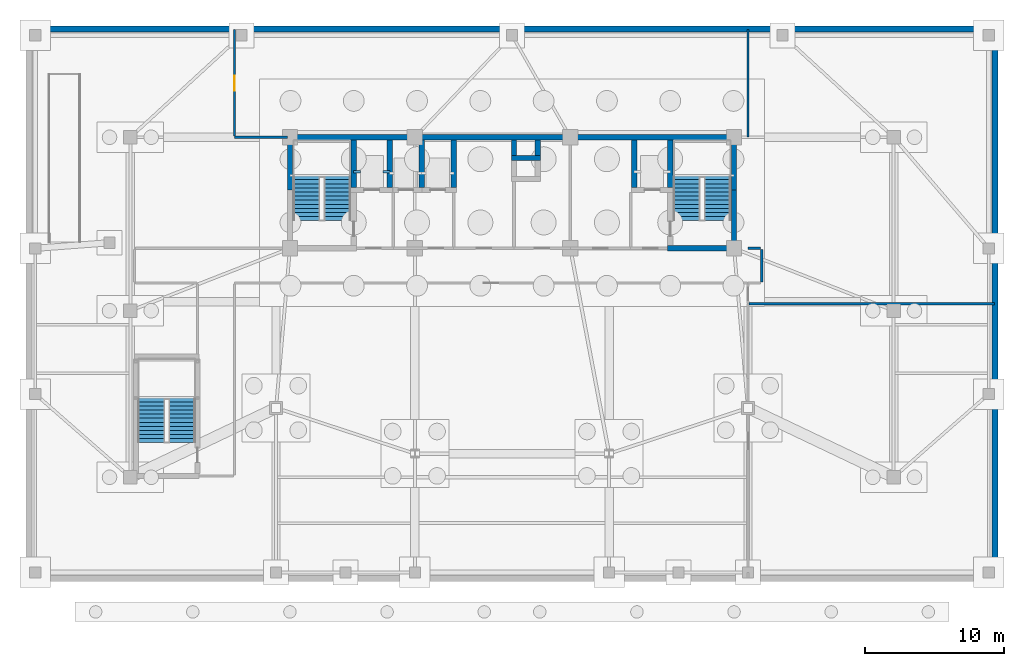
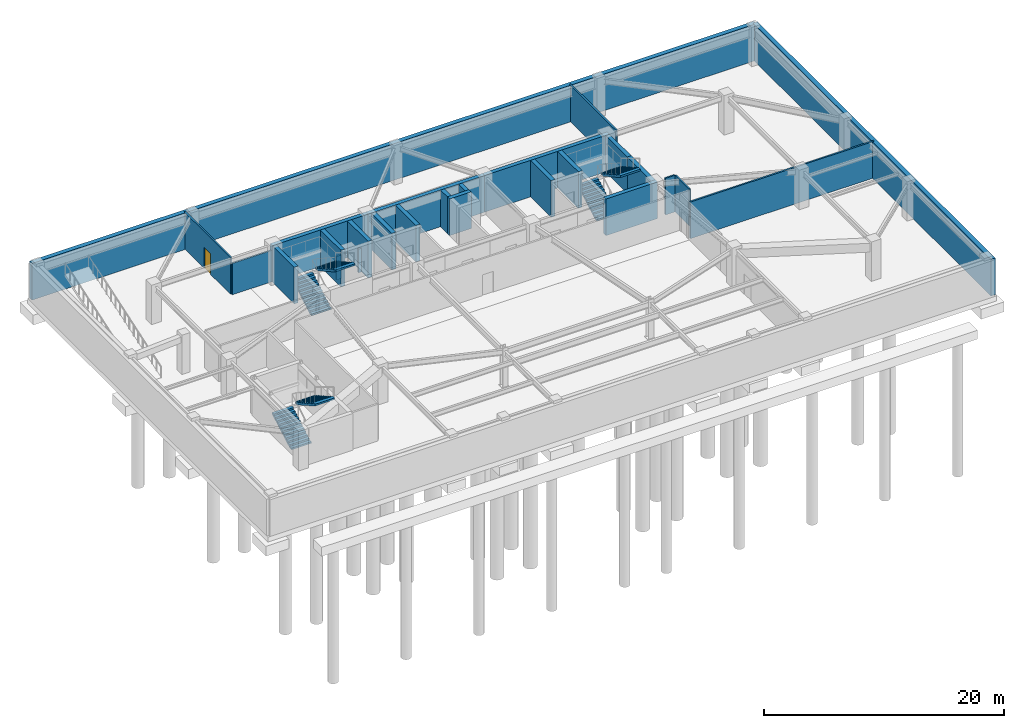
# One storey, part 6 of 10: 24 walls, 6 stair flights, 2 discrete accessories, 1 door, 1 opening, 3 elements without a shape of their own.
"""IFC4 building model written with IfcOpenShell, lengths in metres."""

from ifc_helpers import new_model, si_unit, direction, frame, frame_2d, origin, origin_2d, place, context, subcontext, project, spatial, polyline, rectangle, outline, extrude, source, transform, mapped, material, layer, layer_set, type_object, element, fill, aggregate, save


model = new_model("IFC4")

# Units and contexts
model_context = context("Model", 3, precision=1e-05, world=origin(), true_north=direction((0.0, 1.0)))
body_context = subcontext(model_context, "Body", "Model", "MODEL_VIEW")
ifc_project = project(units=[si_unit("LENGTHUNIT", "METRE"), si_unit("AREAUNIT", "SQUARE_METRE"), si_unit("VOLUMEUNIT", "CUBIC_METRE"), si_unit("PLANEANGLEUNIT", "RADIAN"), si_unit("MASSUNIT", "GRAM", prefix="KILO")], contexts=[model_context])

# Site, building, storey
site_placement = place(None, origin())
site = spatial("IfcSite", under=ifc_project, at=site_placement, CompositionType="ELEMENT")
building_placement = place(site_placement, origin())
building = spatial("IfcBuilding", under=site, at=building_placement, Name="Taldren Reach Tower", CompositionType="ELEMENT")
storey_placement = place(building_placement, frame((0.0, 0.0, -8.0)))
storey = spatial("IfcBuildingStorey", under=building, at=storey_placement, Name="B2", CompositionType="ELEMENT", Elevation=-8.0)

# Walls
ifc_material_1 = material(Name="Concrete S50 (50 MPa)", Category="concrete")
ifc_layer_1 = layer(ifc_material_1, 0.4, Name="Concrete S50 (50 MPa)", Category="concrete")
ifc_material_2 = material(Name="SBS Waterproofing Membrane", Category="bitumen")
ifc_layer_2 = layer(ifc_material_2, 0.02, Name="SBS Waterproofing Membrane", Category="bitumen")
ifc_layer_set_1 = layer_set([ifc_layer_1, ifc_layer_2], Name="Concrete 50 MPa (S50) Retaining Wall with Waterproofing Membrane")
wall_type_1 = type_object("IfcWallType", Name="EW-RET-420", PredefinedType="SOLIDWALL", material=ifc_layer_set_1)
shared_shape_1 = source(origin(), body_context, "Body", "SweptSolid", [
    extrude(rectangle(XDim=69.580078125, YDim=0.419921875, at=frame_2d((34.7900390625, 0.0))), origin(), (0.0, 0.0, 1.0), 3.719970703125),
])
wall_1_placement = place(storey_placement, frame((69.7900390625, 39.7900390625, 0.0), z_axis=(0.0, 0.0, 1.0), x_axis=(-1.0, 0.0, 0.0)))
element("IfcWall", 1, at=wall_1_placement, inside=storey, type_object=wall_type_1, Name="Basement diaphragm retaining wall B2-N", PredefinedType="SOLIDWALL", context=body_context, shape_type="MappedRepresentation", body=[
    mapped(shared_shape_1, transform((0.0, 0.0, 0.0), scale=1.0)),
])
shared_shape_2 = source(origin(), body_context, "Body", "SweptSolid", [
    extrude(rectangle(XDim=39.580078125, YDim=0.419921875, at=frame_2d((19.7900390625, 0.0))), origin(), (0.0, 0.0, 1.0), 3.719970703125),
])
wall_2_placement = place(storey_placement, frame((69.7900390625, 0.2099609375, 0.0), z_axis=(0.0, 0.0, 1.0), x_axis=(0.0, 1.0, 0.0)))
element("IfcWall", 2, at=wall_2_placement, inside=storey, type_object=wall_type_1, Name="Basement diaphragm retaining wall B2-E", PredefinedType="SOLIDWALL", context=body_context, shape_type="MappedRepresentation", body=[
    mapped(shared_shape_2, transform((0.0, 0.0, 0.0), scale=1.0)),
])
ifc_material_3 = material(Name="Concrete S80 (80 MPa)", Category="concrete")
ifc_layer_3 = layer(ifc_material_3, 0.3798828125)
ifc_layer_set_2 = layer_set([ifc_layer_3], Name="Concrete S80 (80 MPa)")
wall_type_2 = type_object("IfcWallType", Name="IW-CORE-380", PredefinedType="SHEAR", material=ifc_layer_set_2)
shared_shape_3 = source(origin(), body_context, "Body", "SweptSolid", [
    extrude(rectangle(XDim=9.18994140625, YDim=0.3798828125, at=frame_2d((4.594970703125, 0.0))), origin(), (0.0, 0.0, 1.0), 3.719970703125),
])
wall_3_placement = place(storey_placement, frame((18.81005859375, 32.0, 0.0), z_axis=(0.0, 0.0, 1.0), x_axis=(1.0, 0.0, 0.0)))
element("IfcWall", 3, at=wall_3_placement, inside=storey, type_object=wall_type_2, Name="Rear Core Shear Wall W-CORE-B2-NORTH1", PredefinedType="SHEAR", context=body_context, shape_type="MappedRepresentation", body=[
    mapped(shared_shape_3, transform((0.0, 0.0, 0.0), scale=1.0)),
])
shared_shape_4 = source(origin(), body_context, "Body", "SweptSolid", [
    extrude(rectangle(XDim=11.199951171875, YDim=0.3798828125, at=frame_2d((5.60009765625, 0.0))), origin(), (0.0, 0.0, 1.0), 3.719970703125),
])
wall_4_placement = place(storey_placement, frame((28.0, 32.0, 0.0), z_axis=(0.0, 0.0, 1.0), x_axis=(1.0, 0.0, 0.0)))
element("IfcWall", 4, at=wall_4_placement, inside=storey, type_object=wall_type_2, Name="Rear Core Shear Wall W-CORE-B2-NORTH2", PredefinedType="SHEAR", context=body_context, shape_type="MappedRepresentation", body=[
    mapped(shared_shape_4, transform((0.0, 0.0, 0.0), scale=1.0)),
])
shared_shape_5 = source(origin(), body_context, "Body", "SweptSolid", [
    extrude(rectangle(XDim=11.989990234375, YDim=0.3798828125, at=frame_2d((5.9951171875, 0.0))), origin(), (0.0, 0.0, 1.0), 3.719970703125),
])
wall_5_placement = place(storey_placement, frame((39.199951171875, 32.0, 0.0), z_axis=(0.0, 0.0, 1.0), x_axis=(1.0, 0.0, 0.0)))
element("IfcWall", 5, at=wall_5_placement, inside=storey, type_object=wall_type_2, Name="Rear Core Shear Wall W-CORE-B2-NORTH3", PredefinedType="SHEAR", context=body_context, shape_type="MappedRepresentation", body=[
    mapped(shared_shape_5, transform((0.0, 0.0, 0.0), scale=1.0)),
])
shared_shape_6 = source(origin(), body_context, "Body", "SweptSolid", [
    extrude(rectangle(XDim=4.010009765625, YDim=0.3798828125, at=frame_2d((2.0048828125, 0.0))), origin(), (0.0, 0.0, 1.0), 3.719970703125),
])
wall_6_placement = place(storey_placement, frame((51.0, 24.18994140625, 0.0), z_axis=(0.0, 0.0, 1.0), x_axis=(0.0, 1.0, 0.0)))
element("IfcWall", 6, at=wall_6_placement, inside=storey, type_object=wall_type_2, Name="Rear Core Shear Wall W-CORE-B2-EAST1", PredefinedType="SHEAR", context=body_context, shape_type="MappedRepresentation", body=[
    mapped(shared_shape_6, transform((0.0, 0.0, 0.0), scale=1.0)),
])
shared_shape_7 = source(origin(), body_context, "Body", "SweptSolid", [
    extrude(rectangle(XDim=3.610107421875, YDim=0.3798828125, at=frame_2d((1.80517578125, 0.0))), origin(), (0.0, 0.0, 1.0), 3.719970703125),
])
for number, where, z_axis, x_axis, name in (
    (7, (19.0, 28.199951171875, 0.0), (0.0, 0.0, 1.0), (0.0, 1.0, 0.0), "Rear Core Shear Wall W-CORE-B2-WEST2"),
    (8, (51.0, 28.199951171875, 0.0), (0.0, 0.0, 1.0), (0.0, 1.0, 0.0), "Rear Core Shear Wall W-CORE-B2-EAST2"),
):
    element("IfcWall", number, at=place(storey_placement, frame(where, z_axis=z_axis, x_axis=x_axis)), inside=storey, type_object=wall_type_2, Name=name, PredefinedType="SHEAR", context=body_context, shape_type="MappedRepresentation", body=[
        mapped(shared_shape_7, transform((0.0, 0.0, 0.0), scale=1.0)),
    ])
shared_shape_8 = source(origin(), body_context, "Body", "SweptSolid", [
    extrude(rectangle(XDim=3.420166015625, YDim=0.3798828125, at=frame_2d((1.7099609375, 0.0))), origin(), (0.0, 0.0, 1.0), 3.719970703125),
])
for number, where, z_axis, x_axis, name in (
    (9, (23.60009765625, 28.389892578125, 0.0), (0.0, 0.0, 1.0), (0.0, 1.0, 0.0), "Rear Core Shear Wall W-INT-B2-001"),
    (10, (26.199951171875, 28.389892578125, 0.0), (0.0, 0.0, 1.0), (0.0, 1.0, 0.0), "Rear Core Shear Wall W-INT-B2-005"),
    (11, (46.39990234375, 31.81005859375, 0.0), (0.0, 0.0, 1.0), (0.0, -1.0, 0.0), "Rear Core Shear Wall W-INT-B2-008"),
    (12, (43.800048828125, 31.81005859375, 0.0), (0.0, 0.0, 1.0), (0.0, -1.0, 0.0), "Rear Core Shear Wall W-INT-B2-012"),
    (13, (28.5, 28.389892578125, 0.0), (0.0, 0.0, 1.0), (0.0, 1.0, 0.0), "Rear Core Shear Wall W-INT-B2-021"),
    (14, (30.800048828125, 28.389892578125, 0.0), (0.0, 0.0, 1.0), (0.0, 1.0, 0.0), "Rear Core Shear Wall W-INT-B2-024"),
):
    element("IfcWall", number, at=place(storey_placement, frame(where, z_axis=z_axis, x_axis=x_axis)), inside=storey, type_object=wall_type_2, Name=name, PredefinedType="SHEAR", context=body_context, shape_type="MappedRepresentation", body=[
        mapped(shared_shape_8, transform((0.0, 0.0, 0.0), scale=1.0)),
    ])
shared_shape_9 = source(origin(), body_context, "Body", "SweptSolid", [
    extrude(rectangle(XDim=4.97998046875, YDim=0.3798828125, at=frame_2d((2.489990234375, 0.0))), origin(), (0.0, 0.0, 1.0), 3.719970703125),
])
wall_7_placement = place(storey_placement, frame((46.2099609375, 24.0, 0.0), z_axis=(0.0, 0.0, 1.0), x_axis=(1.0, 0.0, 0.0)))
element("IfcWall", 15, at=wall_7_placement, inside=storey, type_object=wall_type_2, Name="Rear Core Shear Wall W-INT-B2-010", PredefinedType="SHEAR", context=body_context, shape_type="MappedRepresentation", body=[
    mapped(shared_shape_9, transform((0.0, 0.0, 0.0), scale=1.0)),
])
shared_shape_10 = source(origin(), body_context, "Body", "SweptSolid", [
    extrude(rectangle(XDim=2.080078125, YDim=0.3798828125, at=frame_2d((1.0400390625, 0.0))), origin(), (0.0, 0.0, 1.0), 3.719970703125),
])
wall_8_placement = place(storey_placement, frame((34.9599609375, 30.5, 0.0), z_axis=(0.0, 0.0, 1.0), x_axis=(1.0, 0.0, 0.0)))
element("IfcWall", 16, at=wall_8_placement, inside=storey, type_object=wall_type_2, Name="Rear Core Shear Wall W-INT-B2-015", PredefinedType="SHEAR", context=body_context, shape_type="MappedRepresentation", body=[
    mapped(shared_shape_10, transform((0.0, 0.0, 0.0), scale=1.0)),
])
shared_shape_11 = source(origin(), body_context, "Body", "SweptSolid", [
    extrude(rectangle(XDim=1.1201171875, YDim=0.3798828125, at=frame_2d((0.56005859375, 0.0))), origin(), (0.0, 0.0, 1.0), 3.719970703125),
])
for number, where, z_axis, x_axis, name in (
    (17, (35.14990234375, 31.81005859375, 0.0), (0.0, 0.0, 1.0), (0.0, -1.0, 0.0), "Rear Core Shear Wall W-INT-B2-016"),
    (18, (36.85009765625, 30.68994140625, 0.0), (0.0, 0.0, 1.0), (0.0, 1.0, 0.0), "Rear Core Shear Wall W-INT-B2-017"),
):
    element("IfcWall", number, at=place(storey_placement, frame(where, z_axis=z_axis, x_axis=x_axis)), inside=storey, type_object=wall_type_2, Name=name, PredefinedType="SHEAR", context=body_context, shape_type="MappedRepresentation", body=[
        mapped(shared_shape_11, transform((0.0, 0.0, 0.0), scale=1.0)),
    ])
ifc_material_4 = material(Name="Fire-Rated Acoustic Plasterboard Stud Wall", Category="gypsum")
ifc_layer_4 = layer(ifc_material_4, 0.159912109375)
ifc_layer_set_3 = layer_set([ifc_layer_4], Name="Fire-Rated Acoustic Plasterboard Stud Wall")
wall_type_3 = type_object("IfcWallType", Name="IW-FIRE-160", PredefinedType="PARTITIONING", material=ifc_layer_set_3)
shared_shape_12 = source(origin(), body_context, "Body", "SweptSolid", [
    extrude(rectangle(XDim=2.33984375, YDim=0.159912109375, at=frame_2d((1.169921875, 0.0))), origin(), (0.0, 0.0, 1.0), 3.719970703125),
])
wall_9_placement = place(storey_placement, frame((53.0, 23.919921875, 0.0), z_axis=(0.0, 0.0, 1.0), x_axis=(0.0, -1.0, 0.0)))
element("IfcWall", 19, at=wall_9_placement, inside=storey, type_object=wall_type_3, Name="Interior Partition Wall W-INT-B2-043", PredefinedType="PARTITIONING", context=body_context, shape_type="MappedRepresentation", body=[
    mapped(shared_shape_12, transform((0.0, 0.0, 0.0), scale=1.0)),
])
shared_shape_13 = source(origin(), body_context, "Body", "SweptSolid", [
    extrude(rectangle(XDim=0.899658203125, YDim=0.159912109375, at=frame_2d((0.44970703125, 0.0))), origin(), (0.0, 0.0, 1.0), 3.719970703125),
])
wall_10_placement = place(storey_placement, frame((52.020263671875, 24.0, 0.0), z_axis=(0.0, 0.0, 1.0), x_axis=(1.0, 0.0, 0.0)))
element("IfcWall", 20, at=wall_10_placement, inside=storey, type_object=wall_type_3, Name="Interior Partition Wall W-INT-B2-045", PredefinedType="PARTITIONING", context=body_context, shape_type="MappedRepresentation", body=[
    mapped(shared_shape_13, transform((0.0, 0.0, 0.0), scale=1.0)),
])

# Wall, opening, door
shared_shape_14 = source(origin(), body_context, "Body", "SweptSolid", [
    extrude(rectangle(XDim=7.68994140625, YDim=0.159912109375, at=frame_2d((3.844970703125, 0.0))), origin(), (0.0, 0.0, 1.0), 3.719970703125),
])
wall_11_placement = place(storey_placement, frame((15.0, 39.77001953125, 0.0), z_axis=(0.0, 0.0, 1.0), x_axis=(0.0, -1.0, 0.0)))
wall_11 = element("IfcWall", 21, at=wall_11_placement, inside=storey, type_object=wall_type_3, Name="Interior Partition Wall W-INT-B2-048", PredefinedType="PARTITIONING", context=body_context, shape_type="MappedRepresentation", body=[
    mapped(shared_shape_14, transform((0.0, 0.0, 0.0), scale=1.0)),
])
shared_shape_15 = source(origin(), body_context, "Body", "SweptSolid", [
    extrude(rectangle(XDim=1.050048828125, YDim=2.10009765625, at=frame_2d((0.52490234375, 1.050048828125))), frame((0.0, 0.08984375, 0.0), z_axis=(0.0, -1.0, 0.0), x_axis=(1.0, 0.0, 0.0)), (0.0, 0.0, 1.0), 0.179931640625),
])
opening_placement = place(wall_11_placement, frame((3.349853515625, 0.0, 0.0)))
opening = element("IfcOpeningElement", 22, at=opening_placement, cuts=wall_11, Name="Opening DF-105", PredefinedType="OPENING", context=body_context, shape_type="MappedRepresentation", body=[
    mapped(shared_shape_15, transform((0.0, 0.0, 0.0), scale=1.0)),
])
ifc_material_5 = material(Name="Fire-Rated Care and Stair Exit Door")
door_type = type_object("IfcDoorType", Name="ID-FIRE-105", OperationType="NOTDEFINED", PredefinedType="DOOR", material=ifc_material_5)
shared_shape_16 = source(origin(), body_context, "Body", "SweptSolid", [
    extrude(rectangle(XDim=1.050048828125, YDim=2.10009765625, at=frame_2d((0.52490234375, 1.050048828125))), frame((0.0, 0.02490234375, 0.0), z_axis=(0.0, -1.0, 0.0), x_axis=(1.0, 0.0, 0.0)), (0.0, 0.0, 1.0), 0.050048828125),
])
door_placement = place(opening_placement, origin())
door = element("IfcDoor", 23, at=door_placement, inside=storey, type_object=door_type, Name="Interior Door DR-B2-013", OperationType="SINGLE_SWING_RIGHT", OverallHeight=2.10009765625, OverallWidth=1.050048828125, PredefinedType="DOOR", context=body_context, shape_type="MappedRepresentation", body=[
    mapped(shared_shape_16, transform((0.0, 0.0, 0.0), scale=1.0)),
])
fill(opening, door)

# Walls
shared_shape_17 = source(origin(), body_context, "Body", "SweptSolid", [
    extrude(rectangle(XDim=3.789794921875, YDim=0.159912109375, at=frame_2d((1.89501953125, 0.0))), origin(), (0.0, 0.0, 1.0), 3.18701171875),
])
wall_12_placement = place(storey_placement, frame((15.020263671875, 32.0, 0.0), z_axis=(0.0, 0.0, 1.0), x_axis=(1.0, 0.0, 0.0)))
element("IfcWall", 24, at=wall_12_placement, inside=storey, type_object=wall_type_3, Name="Interior Partition Wall W-INT-B2-049", PredefinedType="PARTITIONING", context=body_context, shape_type="MappedRepresentation", body=[
    mapped(shared_shape_17, transform((0.0, 0.0, 0.0), scale=1.0)),
])
shared_shape_18 = source(origin(), body_context, "Body", "SweptSolid", [
    extrude(rectangle(XDim=17.68994140625, YDim=0.159912109375, at=frame_2d((8.844970703125, 0.0))), origin(), (0.0, 0.0, 1.0), 3.719970703125),
])
wall_13_placement = place(storey_placement, frame((52.080078125, 20.0, 0.0), z_axis=(0.0, 0.0, 1.0), x_axis=(1.0, 0.0, 0.0)))
element("IfcWall", 25, at=wall_13_placement, inside=storey, type_object=wall_type_3, Name="Interior Partition Wall W-INT-B2-050", PredefinedType="PARTITIONING", context=body_context, shape_type="MappedRepresentation", body=[
    mapped(shared_shape_18, transform((0.0, 0.0, 0.0), scale=1.0)),
])
shared_shape_19 = source(origin(), body_context, "Body", "SweptSolid", [
    extrude(rectangle(XDim=7.749755859375, YDim=0.159912109375, at=frame_2d((3.875, 0.0))), origin(), (0.0, 0.0, 1.0), 3.719970703125),
])
wall_14_placement = place(storey_placement, frame((52.0, 32.020263671875, 0.0), z_axis=(0.0, 0.0, 1.0), x_axis=(0.0, 1.0, 0.0)))
element("IfcWall", 26, at=wall_14_placement, inside=storey, type_object=wall_type_3, Name="Interior Partition Wall W-INT-B2-051", PredefinedType="PARTITIONING", context=body_context, shape_type="MappedRepresentation", body=[
    mapped(shared_shape_19, transform((0.0, 0.0, 0.0), scale=1.0)),
])

# Stair, stair flights
stair_type_1 = type_object("IfcStairType", Name="ST-HT-400", PredefinedType="HALF_TURN_STAIR", material=ifc_material_1)
stair_1_placement = place(storey_placement, origin())
stair_1 = element("IfcStair", 27, at=stair_1_placement, inside=storey, type_object=stair_type_1, Name="Fire-isolated exit stair ST1 B2", PredefinedType="HALF_TURN_STAIR")
stair_flight_type_1 = type_object("IfcStairFlightType", Name="SF-STR-400", PredefinedType="STRAIGHT", material=ifc_material_1)
stair_flight_1_placement = place(storey_placement, frame((20.169921875, 25.989990234375, 0.0), z_axis=(0.0, 0.0, 1.0), x_axis=(0.0, 1.0, 0.0)))
stair_flight_1 = element("IfcStairFlight", 28, at=stair_flight_1_placement, type_object=stair_flight_type_1, Name="ST1 flight 1", NumberOfRisers=12, NumberOfTreads=11, PredefinedType="STRAIGHT", RiserHeight=0.166667, TreadLength=0.295, context=body_context, shape_type="SweptSolid", body=[
    extrude(outline(polyline([(0.0, 0.0), (0.0, 0.166748046875), (0.294921875, 0.166748046875), (0.294921875, 0.333251953125), (0.590087890625, 0.333251953125), (0.590087890625, 0.5), (0.885009765625, 0.5), (0.885009765625, 0.666748046875), (1.179931640625, 0.666748046875), (1.179931640625, 0.833251953125), (1.47509765625, 0.833251953125), (1.47509765625, 1.0), (1.77001953125, 1.0), (1.77001953125, 1.166748046875), (2.06494140625, 1.166748046875), (2.06494140625, 1.333251953125), (2.360107421875, 1.333251953125), (2.360107421875, 1.5), (2.655029296875, 1.5), (2.655029296875, 1.666748046875), (2.949951171875, 1.666748046875), (2.949951171875, 1.833251953125), (3.2451171875, 1.833251953125), (3.2451171875, 2.0), (3.2451171875, 1.649658203125), (0.3251953125, 0.0), (0.0, 0.0)])), frame((0.0, 0.949951171875, 0.0), z_axis=(0.0, -1.0, 0.0), x_axis=(1.0, 0.0, 0.0)), (0.0, 0.0, 1.0), 1.89990234375),
])
stair_flight_2_placement = place(storey_placement, frame((22.429931640625, 29.235107421875, 2.0), z_axis=(0.0, 0.0, 1.0), x_axis=(0.0, -1.0, 0.0)))
stair_flight_2 = element("IfcStairFlight", 29, at=stair_flight_2_placement, type_object=stair_flight_type_1, Name="ST1 flight 2", NumberOfRisers=12, NumberOfTreads=11, PredefinedType="STRAIGHT", RiserHeight=0.166667, TreadLength=0.295, context=body_context, shape_type="SweptSolid", body=[
    extrude(outline(polyline([(0.0, 0.0), (0.0, 0.166748046875), (0.294921875, 0.166748046875), (0.294921875, 0.333251953125), (0.590087890625, 0.333251953125), (0.590087890625, 0.5), (0.885009765625, 0.5), (0.885009765625, 0.666748046875), (1.179931640625, 0.666748046875), (1.179931640625, 0.833251953125), (1.47509765625, 0.833251953125), (1.47509765625, 1.0), (1.77001953125, 1.0), (1.77001953125, 1.166748046875), (2.06494140625, 1.166748046875), (2.06494140625, 1.333251953125), (2.360107421875, 1.333251953125), (2.360107421875, 1.5), (2.655029296875, 1.5), (2.655029296875, 1.666748046875), (2.949951171875, 1.666748046875), (2.949951171875, 1.833251953125), (3.2451171875, 1.833251953125), (3.2451171875, 2.0), (3.2451171875, 1.649658203125), (0.3251953125, 0.0), (0.0, 0.0)])), frame((0.0, 0.949951171875, 0.0), z_axis=(0.0, -1.0, 0.0), x_axis=(1.0, 0.0, 0.0)), (0.0, 0.0, 1.0), 1.89990234375),
])
aggregate(stair_1, [stair_flight_1, stair_flight_2])

stair_2_placement = place(storey_placement, origin())
stair_2 = element("IfcStair", 30, at=stair_2_placement, inside=storey, type_object=stair_type_1, Name="Fire-isolated exit stair ST2 B2", PredefinedType="HALF_TURN_STAIR")
stair_flight_3_placement = place(storey_placement, frame((47.570068359375, 25.989990234375, 0.0), z_axis=(0.0, 0.0, 1.0), x_axis=(0.0, 1.0, 0.0)))
stair_flight_3 = element("IfcStairFlight", 31, at=stair_flight_3_placement, type_object=stair_flight_type_1, Name="ST2 flight 1", NumberOfRisers=12, NumberOfTreads=11, PredefinedType="STRAIGHT", RiserHeight=0.166667, TreadLength=0.295, context=body_context, shape_type="SweptSolid", body=[
    extrude(outline(polyline([(0.0, 0.0), (0.0, 0.166748046875), (0.294921875, 0.166748046875), (0.294921875, 0.333251953125), (0.590087890625, 0.333251953125), (0.590087890625, 0.5), (0.885009765625, 0.5), (0.885009765625, 0.666748046875), (1.179931640625, 0.666748046875), (1.179931640625, 0.833251953125), (1.47509765625, 0.833251953125), (1.47509765625, 1.0), (1.77001953125, 1.0), (1.77001953125, 1.166748046875), (2.06494140625, 1.166748046875), (2.06494140625, 1.333251953125), (2.360107421875, 1.333251953125), (2.360107421875, 1.5), (2.655029296875, 1.5), (2.655029296875, 1.666748046875), (2.949951171875, 1.666748046875), (2.949951171875, 1.833251953125), (3.2451171875, 1.833251953125), (3.2451171875, 2.0), (3.2451171875, 1.649658203125), (0.3251953125, 0.0), (0.0, 0.0)])), frame((0.0, 0.949951171875, 0.0), z_axis=(0.0, -1.0, 0.0), x_axis=(1.0, 0.0, 0.0)), (0.0, 0.0, 1.0), 1.89990234375),
])
stair_flight_4_placement = place(storey_placement, frame((49.830078125, 29.235107421875, 2.0), z_axis=(0.0, 0.0, 1.0), x_axis=(0.0, -1.0, 0.0)))
stair_flight_4 = element("IfcStairFlight", 32, at=stair_flight_4_placement, type_object=stair_flight_type_1, Name="ST2 flight 2", NumberOfRisers=12, NumberOfTreads=11, PredefinedType="STRAIGHT", RiserHeight=0.166667, TreadLength=0.295, context=body_context, shape_type="SweptSolid", body=[
    extrude(outline(polyline([(0.0, 0.0), (0.0, 0.166748046875), (0.294921875, 0.166748046875), (0.294921875, 0.333251953125), (0.590087890625, 0.333251953125), (0.590087890625, 0.5), (0.885009765625, 0.5), (0.885009765625, 0.666748046875), (1.179931640625, 0.666748046875), (1.179931640625, 0.833251953125), (1.47509765625, 0.833251953125), (1.47509765625, 1.0), (1.77001953125, 1.0), (1.77001953125, 1.166748046875), (2.06494140625, 1.166748046875), (2.06494140625, 1.333251953125), (2.360107421875, 1.333251953125), (2.360107421875, 1.5), (2.655029296875, 1.5), (2.655029296875, 1.666748046875), (2.949951171875, 1.666748046875), (2.949951171875, 1.833251953125), (3.2451171875, 1.833251953125), (3.2451171875, 2.0), (3.2451171875, 1.649658203125), (0.3251953125, 0.0), (0.0, 0.0)])), frame((0.0, 0.949951171875, 0.0), z_axis=(0.0, -1.0, 0.0), x_axis=(1.0, 0.0, 0.0)), (0.0, 0.0, 1.0), 1.89990234375),
])
aggregate(stair_2, [stair_flight_3, stair_flight_4])

stair_type_2 = type_object("IfcStairType", Name="ST-HT-POD", PredefinedType="HALF_TURN_STAIR", material=ifc_material_1)
stair_3_placement = place(storey_placement, origin())
stair_3 = element("IfcStair", 33, at=stair_3_placement, inside=storey, type_object=stair_type_2, Name="Fire-isolated exit stair ST3 B2", PredefinedType="HALF_TURN_STAIR")
stair_flight_type_2 = type_object("IfcStairFlightType", Name="SF-STR-POD", PredefinedType="STRAIGHT", material=ifc_material_1)
stair_flight_5_placement = place(storey_placement, frame((9.0, 9.989990234375, 0.0), z_axis=(0.0, 0.0, 1.0), x_axis=(0.0, 1.0, 0.0)))
stair_flight_5 = element("IfcStairFlight", 34, at=stair_flight_5_placement, type_object=stair_flight_type_2, Name="ST3 flight 1", NumberOfRisers=12, NumberOfTreads=11, PredefinedType="STRAIGHT", RiserHeight=0.166667, TreadLength=0.295, context=body_context, shape_type="SweptSolid", body=[
    extrude(outline(polyline([(0.0, 0.0), (0.0, 0.166748046875), (0.294921875, 0.166748046875), (0.294921875, 0.333251953125), (0.590087890625, 0.333251953125), (0.590087890625, 0.5), (0.885009765625, 0.5), (0.885009765625, 0.666748046875), (1.179931640625, 0.666748046875), (1.179931640625, 0.833251953125), (1.47509765625, 0.833251953125), (1.47509765625, 1.0), (1.77001953125, 1.0), (1.77001953125, 1.166748046875), (2.06494140625, 1.166748046875), (2.06494140625, 1.333251953125), (2.360107421875, 1.333251953125), (2.360107421875, 1.5), (2.655029296875, 1.5), (2.655029296875, 1.666748046875), (2.949951171875, 1.666748046875), (2.949951171875, 1.833251953125), (3.2451171875, 1.833251953125), (3.2451171875, 2.0), (3.2451171875, 1.649658203125), (0.3251953125, 0.0), (0.0, 0.0)])), frame((0.0, 0.949951171875, 0.0), z_axis=(0.0, -1.0, 0.0), x_axis=(1.0, 0.0, 0.0)), (0.0, 0.0, 1.0), 1.89990234375),
])
stair_flight_6_placement = place(storey_placement, frame((11.239990234375, 13.235107421875, 2.0), z_axis=(0.0, 0.0, 1.0), x_axis=(0.0, -1.0, 0.0)))
stair_flight_6 = element("IfcStairFlight", 35, at=stair_flight_6_placement, type_object=stair_flight_type_2, Name="ST3 flight 2", NumberOfRisers=12, NumberOfTreads=11, PredefinedType="STRAIGHT", RiserHeight=0.166667, TreadLength=0.295, context=body_context, shape_type="SweptSolid", body=[
    extrude(outline(polyline([(0.0, 0.0), (0.0, 0.166748046875), (0.294921875, 0.166748046875), (0.294921875, 0.333251953125), (0.590087890625, 0.333251953125), (0.590087890625, 0.5), (0.885009765625, 0.5), (0.885009765625, 0.666748046875), (1.179931640625, 0.666748046875), (1.179931640625, 0.833251953125), (1.47509765625, 0.833251953125), (1.47509765625, 1.0), (1.77001953125, 1.0), (1.77001953125, 1.166748046875), (2.06494140625, 1.166748046875), (2.06494140625, 1.333251953125), (2.360107421875, 1.333251953125), (2.360107421875, 1.5), (2.655029296875, 1.5), (2.655029296875, 1.666748046875), (2.949951171875, 1.666748046875), (2.949951171875, 1.833251953125), (3.2451171875, 1.833251953125), (3.2451171875, 2.0), (3.2451171875, 1.649658203125), (0.3251953125, 0.0), (0.0, 0.0)])), frame((0.0, 0.949951171875, 0.0), z_axis=(0.0, -1.0, 0.0), x_axis=(1.0, 0.0, 0.0)), (0.0, 0.0, 1.0), 1.89990234375),
])
aggregate(stair_3, [stair_flight_5, stair_flight_6])

# Discrete accessories
ifc_material_6 = material(Name="Steel Gr 350 (350PLUS)", Category="steel")
discrete_accessory_type = type_object("IfcDiscreteAccessoryType", Name="ACC-GUIDE-RAIL", PredefinedType="USERDEFINED", material=ifc_material_6)
shared_shape_20 = source(origin(), body_context, "Body", "SweptSolid", [
    extrude(rectangle(XDim=0.4951171875, YDim=0.159912109375, at=origin_2d()), origin(), (0.0, 0.0, 1.0), 2.39990234375),
])
for number, where, z_axis, x_axis, name in (
    (36, (23.83740234375, 29.514892578125, 0.0), (0.0, 0.0, 1.0), (1.0, 0.0, 0.0), "Lift car guide-rail assembly FL1-L"),
    (37, (25.96240234375, 29.514892578125, 0.0), (0.0, 0.0, 1.0), (1.0, 0.0, 0.0), "Lift car guide-rail assembly FL1-R"),
):
    element("IfcDiscreteAccessory", number, at=place(storey_placement, frame(where, z_axis=z_axis, x_axis=x_axis)), inside=storey, type_object=discrete_accessory_type, Name=name, ObjectType="GUIDE RAIL", PredefinedType="USERDEFINED", context=body_context, shape_type="MappedRepresentation", body=[
        mapped(shared_shape_20, transform((0.0, 0.0, 0.0), scale=1.0)),
    ])

save(model, "model.ifc")
